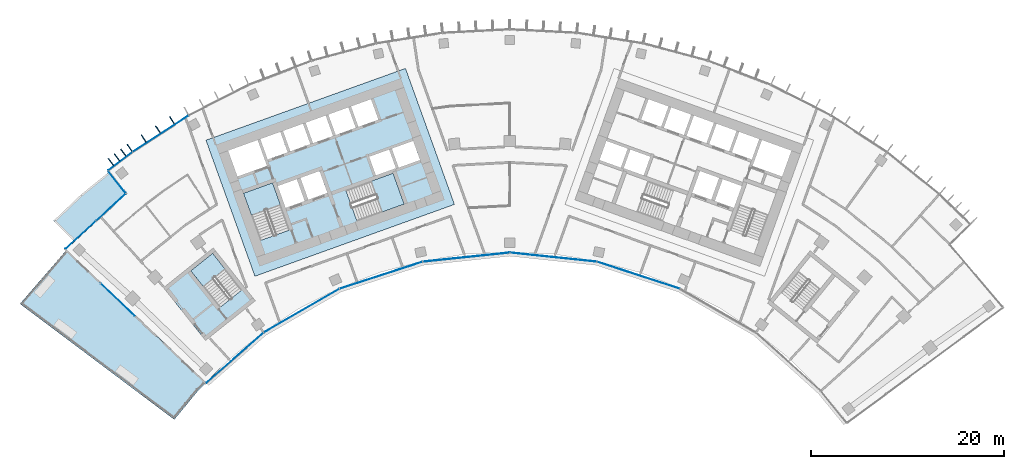
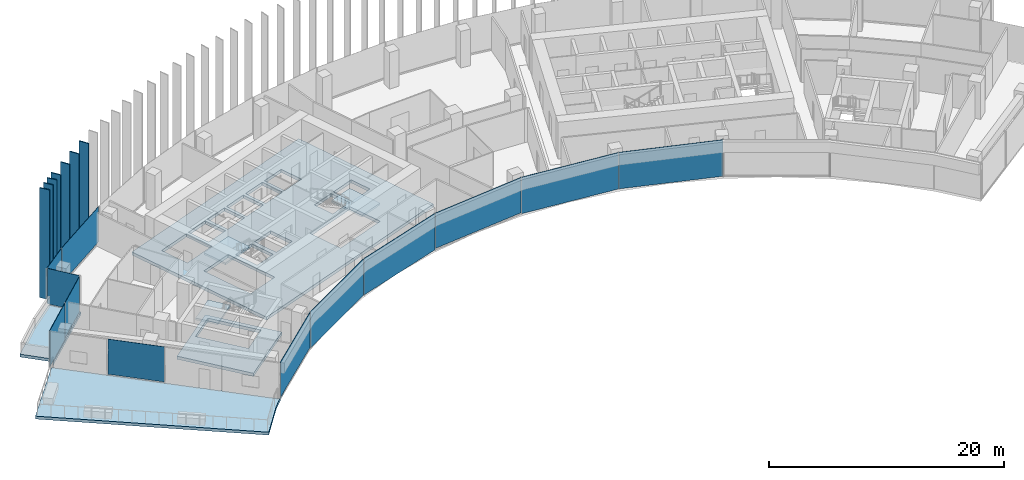
# One storey, part 10 of 20: 19 plates, 7 slabs, 8 elements without a shape of their own.
"""IFC4 building model written with IfcOpenShell, lengths in metres."""

from ifc_helpers import new_model, si_unit, direction, frame, origin, origin_2d, place, context, subcontext, project, spatial, polyline, rectangle, outline, extrude, material, layer, layer_set, type_object, element, aggregate, save


model = new_model("IFC4")

# Units and contexts
model_context = context("Model", 3, precision=1e-05, world=origin(), true_north=direction((0.0, 1.0)))
body_context = subcontext(model_context, "Body", "Model", "MODEL_VIEW")
ifc_project = project(units=[si_unit("LENGTHUNIT", "METRE"), si_unit("AREAUNIT", "SQUARE_METRE"), si_unit("VOLUMEUNIT", "CUBIC_METRE"), si_unit("PLANEANGLEUNIT", "RADIAN"), si_unit("MASSUNIT", "GRAM", prefix="KILO")], contexts=[model_context])

# Site, building, storey
site_placement = place(None, origin())
site = spatial("IfcSite", under=ifc_project, at=site_placement, CompositionType="ELEMENT")
building_placement = place(site_placement, origin())
building = spatial("IfcBuilding", under=site, at=building_placement, Name="Stone Belt Terrace Tower", CompositionType="ELEMENT")
storey_placement = place(building_placement, frame((0.0, 0.0, 201.0)))
storey = spatial("IfcBuildingStorey", under=building, at=storey_placement, Name="L48", CompositionType="ELEMENT", Elevation=201.0)

# Curtain wall, plates
ifc_material_1 = material(Name="Aluminium 6063-T6 anodised frame", Category="aluminium")
ifc_layer_1 = layer(ifc_material_1, 0.14990234375)
ifc_layer_set_1 = layer_set([ifc_layer_1], Name="CW-A unitised convex-face curtain wall")
curtain_wall_type_1 = type_object("IfcCurtainWallType", Name="CW-A unitised convex-face curtain wall", PredefinedType="NOTDEFINED", material=ifc_layer_set_1)
curtain_wall_1_placement = place(storey_placement, origin())
curtain_wall_1 = element("IfcCurtainWall", 1, at=curtain_wall_1_placement, inside=storey, type_object=curtain_wall_type_1, Name="CW-A convex face L48", PredefinedType="NOTDEFINED")
ifc_material_2 = material(Name="Clear double glazed unit")
ifc_layer_2 = layer(ifc_material_2, 0.031982421875)
ifc_layer_set_2 = layer_set([ifc_layer_2], Name="CW-A glass panel 32")
plate_type_1 = type_object("IfcPlateType", Name="CW-A glass panel 32", PredefinedType="CURTAIN_PANEL", material=ifc_layer_set_2)
plate_1_placement = place(storey_placement, frame((-36.209716796875, 55.758056640625, 0.14013671875), z_axis=(0.0, 0.0, 1.0), x_axis=(-0.838670567945, -0.544639035015, 0.0)))
plate_1 = element("IfcPlate", 2, at=plate_1_placement, type_object=plate_type_1, Name="CW-A panel 14.1", PredefinedType="CURTAIN_PANEL", context=body_context, shape_type="SweptSolid", body=[
    extrude(rectangle(XDim=6.900634765625, YDim=0.031982421875, at=origin_2d()), origin(), (0.0, 0.0, 1.0), 3.659912109375),
])
plate_2_placement = place(storey_placement, frame((-40.394775390625, 52.896240234375, 0.14013671875), z_axis=(0.0, 0.0, 1.0), x_axis=(-0.794905425637, -0.606733355184, 0.0)))
plate_2 = element("IfcPlate", 3, at=plate_2_placement, type_object=plate_type_1, Name="CW-A panel 15.1", PredefinedType="CURTAIN_PANEL", context=body_context, shape_type="SweptSolid", body=[
    extrude(rectangle(XDim=3.1142578125, YDim=0.031982421875, at=origin_2d()), origin(), (0.0, 0.0, 1.0), 3.659912109375),
])
aggregate(curtain_wall_1, [plate_1, plate_2])

ifc_layer_3 = layer(ifc_material_1, 0.14990234375)
ifc_layer_set_3 = layer_set([ifc_layer_3], Name="CW-B unitised concave-face curtain wall")
curtain_wall_type_2 = type_object("IfcCurtainWallType", Name="CW-B unitised concave-face curtain wall", PredefinedType="NOTDEFINED", material=ifc_layer_set_3)
curtain_wall_2_placement = place(storey_placement, origin())
curtain_wall_2 = element("IfcCurtainWall", 4, at=curtain_wall_2_placement, inside=storey, type_object=curtain_wall_type_2, Name="CW-B concave face L48", PredefinedType="NOTDEFINED")
ifc_layer_4 = layer(ifc_material_2, 0.030029296875)
ifc_layer_set_4 = layer_set([ifc_layer_4], Name="CW-B glass panel 30")
plate_type_2 = type_object("IfcPlateType", Name="CW-B glass panel 30", PredefinedType="CURTAIN_PANEL", material=ifc_layer_set_4)
plate_3_placement = place(storey_placement, frame((-28.516357421875, 32.509033203125, 0.1201171875), z_axis=(0.0, 0.0, 1.0), x_axis=(0.752060320301, 0.659094283566, 0.0)))
plate_3 = element("IfcPlate", 5, at=plate_3_placement, type_object=plate_type_2, Name="CW-B panel 1.1", PredefinedType="CURTAIN_PANEL", context=body_context, shape_type="SweptSolid", body=[
    extrude(rectangle(XDim=7.8916015625, YDim=0.030029296875, at=origin_2d()), origin(), (0.0, 0.0, 1.0), 3.679931640625),
])
plate_4_placement = place(storey_placement, frame((-21.59375, 37.400634765625, 0.0), z_axis=(0.0, 0.0, 1.0), x_axis=(0.866025403784, 0.5, 0.0)))
plate_4 = element("IfcPlate", 6, at=plate_4_placement, type_object=plate_type_2, Name="CW-B panel 2.1", PredefinedType="CURTAIN_PANEL", context=body_context, shape_type="SweptSolid", body=[
    extrude(rectangle(XDim=9.013916015625, YDim=0.030029296875, at=origin_2d()), origin(), (0.0, 0.0, 1.0), 3.800048828125),
])
plate_5_placement = place(storey_placement, frame((-13.345458984375, 41.072998046875, 0.0), z_axis=(0.0, 0.0, 1.0), x_axis=(0.951056516295, 0.309016994375, 0.0)))
plate_5 = element("IfcPlate", 7, at=plate_5_placement, type_object=plate_type_2, Name="CW-B panel 3.1", PredefinedType="CURTAIN_PANEL", context=body_context, shape_type="SweptSolid", body=[
    extrude(rectangle(XDim=9.0126953125, YDim=0.030029296875, at=origin_2d()), origin(), (0.0, 0.0, 1.0), 3.800048828125),
])
plate_6_placement = place(storey_placement, frame((-4.51416015625, 42.9501953125, 0.1201171875), z_axis=(0.0, 0.0, 1.0), x_axis=(0.994521895368, 0.104528463268, 0.0)))
plate_6 = element("IfcPlate", 8, at=plate_6_placement, type_object=plate_type_2, Name="CW-B panel 4.1", PredefinedType="CURTAIN_PANEL", context=body_context, shape_type="SweptSolid", body=[
    extrude(rectangle(XDim=9.0126953125, YDim=0.030029296875, at=origin_2d()), origin(), (0.0, 0.0, 1.0), 3.679931640625),
])
plate_7_placement = place(storey_placement, frame((4.51416015625, 42.9501953125, 0.0), z_axis=(0.0, 0.0, 1.0), x_axis=(0.994521895368, -0.104528463268, 0.0)))
plate_7 = element("IfcPlate", 9, at=plate_7_placement, type_object=plate_type_2, Name="CW-B panel 5.1", PredefinedType="CURTAIN_PANEL", context=body_context, shape_type="SweptSolid", body=[
    extrude(rectangle(XDim=9.0126953125, YDim=0.030029296875, at=origin_2d()), origin(), (0.0, 0.0, 1.0), 3.800048828125),
])
plate_8_placement = place(storey_placement, frame((13.345458984375, 41.072998046875, 0.0), z_axis=(0.0, 0.0, 1.0), x_axis=(0.951056516295, -0.309016994375, 0.0)))
plate_8 = element("IfcPlate", 10, at=plate_8_placement, type_object=plate_type_2, Name="CW-B panel 6.1", PredefinedType="CURTAIN_PANEL", context=body_context, shape_type="SweptSolid", body=[
    extrude(rectangle(XDim=9.0126953125, YDim=0.030029296875, at=origin_2d()), origin(), (0.0, 0.0, 1.0), 3.800048828125),
])
aggregate(curtain_wall_2, [plate_3, plate_4, plate_5, plate_6, plate_7, plate_8])

# Curtain wall, plate
ifc_layer_5 = layer(ifc_material_1, 0.14990234375)
ifc_layer_set_5 = layer_set([ifc_layer_5], Name="CW-C stick curtain wall, horn ends and notches")
curtain_wall_type_3 = type_object("IfcCurtainWallType", Name="CW-C stick curtain wall, horn ends and notches", PredefinedType="NOTDEFINED", material=ifc_layer_set_5)
curtain_wall_3_placement = place(storey_placement, origin())
curtain_wall_3 = element("IfcCurtainWall", 11, at=curtain_wall_3_placement, inside=storey, type_object=curtain_wall_type_3, Name="CW-C notch face L48", PredefinedType="NOTDEFINED")
ifc_layer_6 = layer(ifc_material_2, 0.028076171875)
ifc_layer_set_6 = layer_set([ifc_layer_6], Name="CW-C glass panel 28")
plate_type_3 = type_object("IfcPlateType", Name="CW-C glass panel 28", PredefinedType="CURTAIN_PANEL", material=ifc_layer_set_6)
plate_9_placement = place(storey_placement, frame((-40.751220703125, 50.732666015625, 0.1201171875), z_axis=(0.0, 0.0, 1.0), x_axis=(0.625342799553, -0.780350166943, 0.0)))
plate_9 = element("IfcPlate", 12, at=plate_9_placement, type_object=plate_type_3, Name="CW-C panel 1.1", PredefinedType="CURTAIN_PANEL", context=body_context, shape_type="SweptSolid", body=[
    extrude(rectangle(XDim=2.85888671875, YDim=0.028076171875, at=origin_2d()), origin(), (0.0, 0.0, 1.0), 3.679931640625),
])
aggregate(curtain_wall_3, [plate_9])

# Curtain wall, plates
curtain_wall_4_placement = place(storey_placement, origin())
curtain_wall_4 = element("IfcCurtainWall", 13, at=curtain_wall_4_placement, inside=storey, type_object=curtain_wall_type_3, Name="CW-C notch face L48", PredefinedType="NOTDEFINED")
plate_10_placement = place(storey_placement, frame((-41.38232421875, 48.116455078125, 0.1201171875), z_axis=(0.0, 0.0, 1.0), x_axis=(-0.736280049148, -0.676676945985, 0.0)))
plate_10 = element("IfcPlate", 14, at=plate_10_placement, type_object=plate_type_3, Name="CW-C panel 1.1", PredefinedType="CURTAIN_PANEL", context=body_context, shape_type="SweptSolid", body=[
    extrude(rectangle(XDim=4.12060546875, YDim=0.028076171875, at=origin_2d()), origin(), (0.0, 0.0, 1.0), 3.679931640625),
])
plate_11_placement = place(storey_placement, frame((-44.514892578125, 45.237548828125, 0.0), z_axis=(0.0, 0.0, 1.0), x_axis=(-0.736280049148, -0.676676945985, 0.0)))
plate_11 = element("IfcPlate", 15, at=plate_11_placement, type_object=plate_type_3, Name="CW-C panel 2.1", PredefinedType="CURTAIN_PANEL", context=body_context, shape_type="SweptSolid", body=[
    extrude(rectangle(XDim=4.268798828125, YDim=0.028076171875, at=origin_2d()), origin(), (0.0, 0.0, 1.0), 3.800048828125),
])
aggregate(curtain_wall_4, [plate_10, plate_11])

# Curtain wall, plate
ifc_layer_7 = layer(ifc_material_1, 0.14990234375)
ifc_layer_set_7 = layer_set([ifc_layer_7], Name="CW-E conservatory and damper hall curtain wall")
curtain_wall_type_4 = type_object("IfcCurtainWallType", Name="CW-E conservatory and damper hall curtain wall", PredefinedType="NOTDEFINED", material=ifc_layer_set_7)
curtain_wall_5_placement = place(storey_placement, origin())
curtain_wall_5 = element("IfcCurtainWall", 16, at=curtain_wall_5_placement, inside=storey, type_object=curtain_wall_type_4, Name="CW-E end face L48", PredefinedType="NOTDEFINED")
ifc_layer_8 = layer(ifc_material_2, 0.035888671875)
ifc_layer_set_8 = layer_set([ifc_layer_8], Name="CW-E glass panel 36")
plate_type_4 = type_object("IfcPlateType", Name="CW-E glass panel 36", PredefinedType="CURTAIN_PANEL", material=ifc_layer_set_8)
plate_12_placement = place(storey_placement, frame((-40.646728515625, 38.520751953125, 0.150146484375), z_axis=(0.0, 0.0, 1.0), x_axis=(0.72491369175, -0.688839705238, 0.0)))
plate_12 = element("IfcPlate", 17, at=plate_12_placement, type_object=plate_type_4, Name="CW-E panel 2.1", PredefinedType="CURTAIN_PANEL", context=body_context, shape_type="SweptSolid", body=[
    extrude(rectangle(XDim=4.919921875, YDim=0.035888671875, at=origin_2d()), origin(), (0.0, 0.0, 1.0), 3.64990234375),
])
aggregate(curtain_wall_5, [plate_12])

# Slabs
ifc_material_3 = material(Name="Concrete B40", Category="concrete")
ifc_layer_9 = layer(ifc_material_3, 0.320068359375)
ifc_layer_set_9 = layer_set([ifc_layer_9], Name="Core floor slab 320")
slab_type_1 = type_object("IfcSlabType", Name="Core floor slab 320", PredefinedType="FLOOR", material=ifc_layer_set_9)
slab_1_placement = place(storey_placement, frame((0.0, 0.0, -0.320068359375)))
element("IfcSlab", 18, at=slab_1_placement, inside=storey, type_object=slab_type_1, Name="Core A floor L48", PredefinedType="FLOOR", context=body_context, shape_type="SweptSolid", body=[
    extrude(outline(polyline([(-26.43505859375, 40.968994140625), (-5.735107421875, 48.4189453125), (-10.81396484375, 62.531982421875), (-31.513916015625, 55.0830078125), (-26.43505859375, 40.968994140625)]), holes=[polyline([(-24.60791015625, 50.659912109375), (-22.847900390625, 45.76806640625), (-25.85888671875, 44.68408203125), (-27.618896484375, 49.575927734375), (-24.60791015625, 50.659912109375)]), polyline([(-23.25, 48.06689453125), (-24.06298828125, 50.324951171875), (-22.0869140625, 51.035888671875), (-21.27392578125, 48.778076171875), (-23.25, 48.06689453125)]), polyline([(-20.89794921875, 48.9130859375), (-21.7109375, 51.1708984375), (-19.735107421875, 51.883056640625), (-18.922119140625, 49.6240234375), (-20.89794921875, 48.9130859375)]), polyline([(-28.24609375, 51.31689453125), (-29.2109375, 53.9990234375), (-26.153076171875, 55.09912109375), (-25.18798828125, 52.41796875), (-28.24609375, 51.31689453125)]), polyline([(-23.801025390625, 55.946044921875), (-23.0390625, 53.8291015625), (-25.10888671875, 53.083984375), (-25.87109375, 55.200927734375), (-23.801025390625, 55.946044921875)]), polyline([(-21.447998046875, 56.7919921875), (-20.68603515625, 54.675048828125), (-22.756103515625, 53.929931640625), (-23.51806640625, 56.047119140625), (-21.447998046875, 56.7919921875)]), polyline([(-10.955078125, 48.452880859375), (-15.846923828125, 46.69189453125), (-16.998046875, 49.89208984375), (-12.10595703125, 51.652099609375), (-10.955078125, 48.452880859375)]), polyline([(-11.847900390625, 52.116943359375), (-11.864990234375, 52.1640625), (-13.887939453125, 51.43603515625), (-14.58203125, 53.364990234375), (-12.511962890625, 54.110107421875), (-11.801025390625, 52.134033203125), (-11.847900390625, 52.116943359375)]), polyline([(-9.30810546875, 53.031005859375), (-11.51904296875, 52.235107421875), (-12.22998046875, 54.2109375), (-10.01904296875, 55.007080078125), (-9.30810546875, 53.031005859375)]), polyline([(-21.166015625, 56.89404296875), (-19.095947265625, 57.638916015625), (-18.333984375, 55.52197265625), (-20.404052734375, 54.777099609375), (-21.166015625, 56.89404296875)]), polyline([(-16.743896484375, 58.485107421875), (-15.98193359375, 56.367919921875), (-18.052001953125, 55.623046875), (-18.81396484375, 57.739990234375), (-16.743896484375, 58.485107421875)]), polyline([(-14.39111328125, 59.33203125), (-13.6298828125, 57.215087890625), (-15.699951171875, 56.469970703125), (-16.4609375, 58.5869140625), (-14.39111328125, 59.33203125)])]), origin(), (0.0, 0.0, 1.0), 0.320068359375),
])
slab_2_placement = place(storey_placement, frame((0.0, 0.0, -0.320068359375)))
element("IfcSlab", 19, at=slab_2_placement, inside=storey, type_object=slab_type_1, Name="Exit stair ST3A floor L48", PredefinedType="FLOOR", context=body_context, shape_type="SweptSolid", body=[
    extrude(outline(polyline([(-26.39404296875, 38.425048828125), (-30.756103515625, 43.89990234375), (-35.91796875, 39.787109375), (-31.555908203125, 34.31298828125), (-26.39404296875, 38.425048828125)]), holes=[polyline([(-27.798095703125, 39.544921875), (-30.06591796875, 37.738037109375), (-33.087890625, 41.531005859375), (-30.820068359375, 43.337890625), (-27.798095703125, 39.544921875)])]), origin(), (0.0, 0.0, 1.0), 0.320068359375),
])

# Stair, slab
stair_type = type_object("IfcStairType", Name="Exit stair 1500", PredefinedType="HALF_TURN_STAIR", material=ifc_material_3)
stair_1_placement = place(storey_placement, origin())
stair_1 = element("IfcStair", 20, at=stair_1_placement, inside=storey, type_object=stair_type, Name="L48 Exit stair 1 core A", PredefinedType="HALF_TURN_STAIR")
ifc_layer_10 = layer(ifc_material_3, 0.199951171875)
ifc_layer_set_10 = layer_set([ifc_layer_10], Name="Stair landing 200")
slab_type_2 = type_object("IfcSlabType", Name="Stair landing 200", PredefinedType="LANDING", material=ifc_layer_set_10)
slab_3_placement = place(storey_placement, frame((0.0, 0.0, 1.699951171875)))
slab_3 = element("IfcSlab", 21, at=slab_3_placement, type_object=slab_type_2, Name="ST1A landing 1", PredefinedType="LANDING", context=body_context, shape_type="SweptSolid", body=[
    extrude(outline(polyline([(-23.79541015625, 48.40087890625), (-24.6083984375, 50.659912109375), (-27.619384765625, 49.576171875), (-26.806396484375, 47.3173828125), (-23.79541015625, 48.40087890625)])), origin(), (0.0, 0.0, 1.0), 0.199951171875),
])
aggregate(stair_1, [slab_3])

stair_2_placement = place(storey_placement, origin())
stair_2 = element("IfcStair", 22, at=stair_2_placement, inside=storey, type_object=stair_type, Name="L48 Exit stair 2 core A", PredefinedType="HALF_TURN_STAIR")
slab_4_placement = place(storey_placement, frame((0.0, 0.0, 1.699951171875)))
slab_4 = element("IfcSlab", 23, at=slab_4_placement, type_object=slab_type_2, Name="ST2A landing 1", PredefinedType="LANDING", context=body_context, shape_type="SweptSolid", body=[
    extrude(outline(polyline([(-13.213623046875, 47.64013671875), (-10.95458984375, 48.453125), (-12.10595703125, 51.652099609375), (-14.36474609375, 50.839111328125), (-13.213623046875, 47.64013671875)])), origin(), (0.0, 0.0, 1.0), 0.199951171875),
])
aggregate(stair_2, [slab_4])

stair_3_placement = place(storey_placement, origin())
stair_3 = element("IfcStair", 24, at=stair_3_placement, inside=storey, type_object=stair_type, Name="L48 Exit stair 3A", PredefinedType="HALF_TURN_STAIR")
slab_5_placement = place(storey_placement, frame((0.0, 0.0, 1.699951171875)))
slab_5 = element("IfcSlab", 25, at=slab_5_placement, type_object=slab_type_2, Name="ST3A landing 1", PredefinedType="LANDING", context=body_context, shape_type="SweptSolid", body=[
    extrude(outline(polyline([(-29.541748046875, 41.73388671875), (-30.819580078125, 43.337890625), (-33.087646484375, 41.53076171875), (-31.809814453125, 39.9267578125), (-29.541748046875, 41.73388671875)])), origin(), (0.0, 0.0, 1.0), 0.199951171875),
])
aggregate(stair_3, [slab_5])

# Slabs
ifc_layer_11 = layer(ifc_material_3, 0.300048828125)
ifc_layer_set_11 = layer_set([ifc_layer_11], Name="Terrace slab 300 B40")
slab_type_3 = type_object("IfcSlabType", Name="Terrace slab 300 B40", PredefinedType="FLOOR", material=ifc_layer_set_11)
slab_6_placement = place(storey_placement, frame((0.0, 0.0, -0.300048828125)))
element("IfcSlab", 26, at=slab_6_placement, inside=storey, type_object=slab_type_3, Name="Terrace slab L48-sky_garden-1", PredefinedType="FLOOR", context=body_context, shape_type="SweptSolid", body=[
    extrude(outline(polyline([(-34.79931640625, 26.100830078125), (-32.326904296875, 29.107177734375), (-29.310791015625, 32.123291015625), (-29.3134765625, 32.1259765625), (-31.53369140625, 29.964599609375), (-45.981201171875, 43.693115234375), (-50.799072265625, 38.10107421875), (-34.79931640625, 26.100830078125)])), origin(), (0.0, 0.0, 1.0), 0.300048828125),
])
slab_7_placement = place(storey_placement, frame((0.0, 0.0, -0.300048828125)))
element("IfcSlab", 27, at=slab_7_placement, inside=storey, type_object=slab_type_3, Name="Terrace slab L48-notch_roof-2", PredefinedType="FLOOR", context=body_context, shape_type="SweptSolid", body=[
    extrude(outline(polyline([(-47.328857421875, 46.714111328125), (-45.19384765625, 44.606689453125), (-45.57177734375, 44.168212890625), (-45.569580078125, 44.166259765625), (-39.709228515625, 49.55224609375), (-41.52880859375, 51.82275390625), (-44.497314453125, 49.419189453125), (-47.328857421875, 46.714111328125)])), origin(), (0.0, 0.0, 1.0), 0.300048828125),
])

# Plates
ifc_material_4 = material(Name="Terracotta coloured glazed ceramic", Category="masonry")
ifc_layer_12 = layer(ifc_material_4, 0.10009765625)
ifc_layer_set_12 = layer_set([ifc_layer_12], Name="Terracotta fin 100 x 900")
plate_type_5 = type_object("IfcPlateType", Name="Terracotta fin 100 x 900", PredefinedType="SHEET", material=ifc_layer_set_12)
for number, where, z_axis, x_axis, name in (
    (28, (-35.034423828125, 57.1474609375, 0.0), (0.0, 0.0, 1.0), (-0.544639035015, 0.838670567945, 0.0), "FIN L48 14.2"),
    (29, (-36.4951171875, 56.19873046875, 0.0), (0.0, 0.0, 1.0), (-0.544639035015, 0.838670567945, 0.0), "FIN L48 14.3"),
    (30, (-37.9560546875, 55.25, 0.0), (0.0, 0.0, 1.0), (-0.544639035015, 0.838670567945, 0.0), "FIN L48 14.4"),
    (31, (-39.433349609375, 54.2900390625, 0.0), (0.0, 0.0, 1.0), (-0.576101937282, 0.81737785501, 0.0), "FIN L48 15.1"),
    (32, (-40.089599609375, 53.78955078125, 0.0), (0.0, 0.0, 1.0), (-0.606733355184, 0.794905425637, 0.0), "FIN L48 15.2"),
    (33, (-40.72998046875, 53.301025390625, 0.0), (0.0, 0.0, 1.0), (-0.606733355184, 0.794905425637, 0.0), "FIN L48 15.3"),
    (34, (-41.3701171875, 52.812255859375, 0.0), (0.0, 0.0, 1.0), (-0.606733355184, 0.794905425637, 0.0), "FIN L48 15.4"),
):
    element("IfcPlate", number, at=place(storey_placement, frame(where, z_axis=z_axis, x_axis=x_axis)), inside=storey, type_object=plate_type_5, Name=name, PredefinedType="SHEET", context=body_context, shape_type="SweptSolid", body=[
        extrude(rectangle(XDim=0.89990234375, YDim=0.10009765625, at=origin_2d()), origin(), (0.0, 0.0, 1.0), 11.39990234375),
    ])

save(model, "model.ifc")
